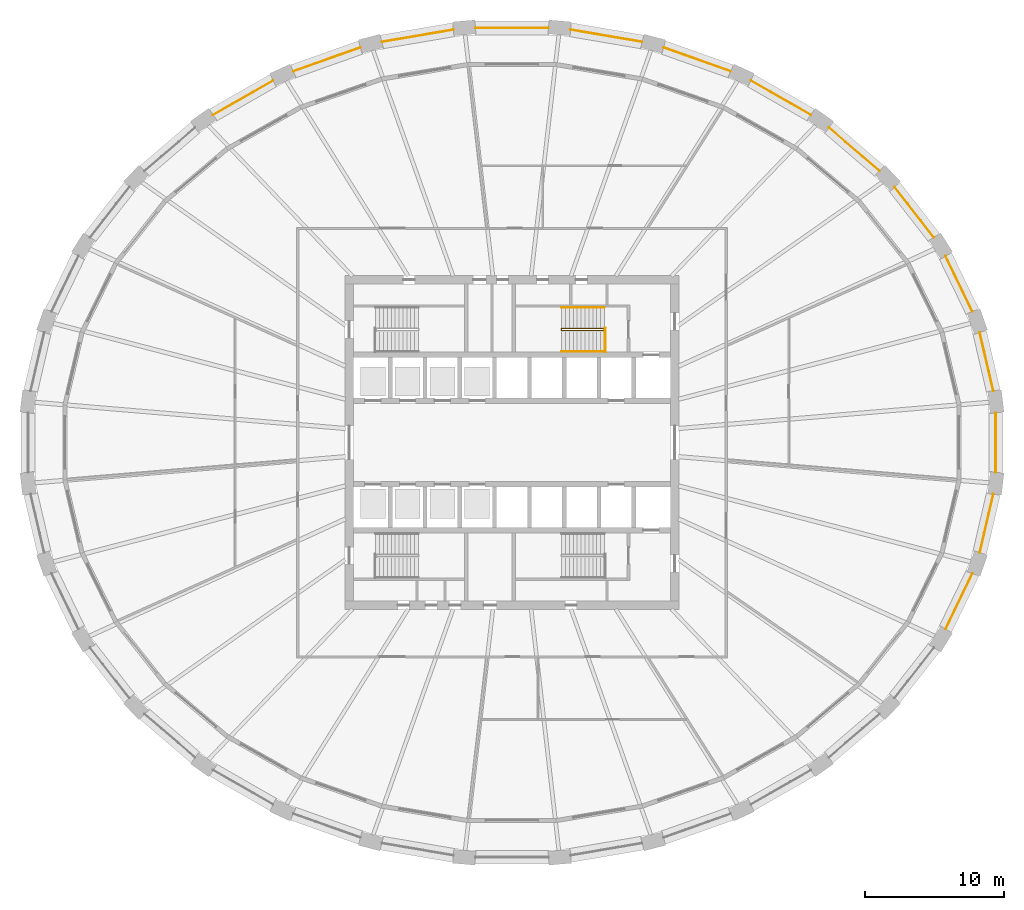
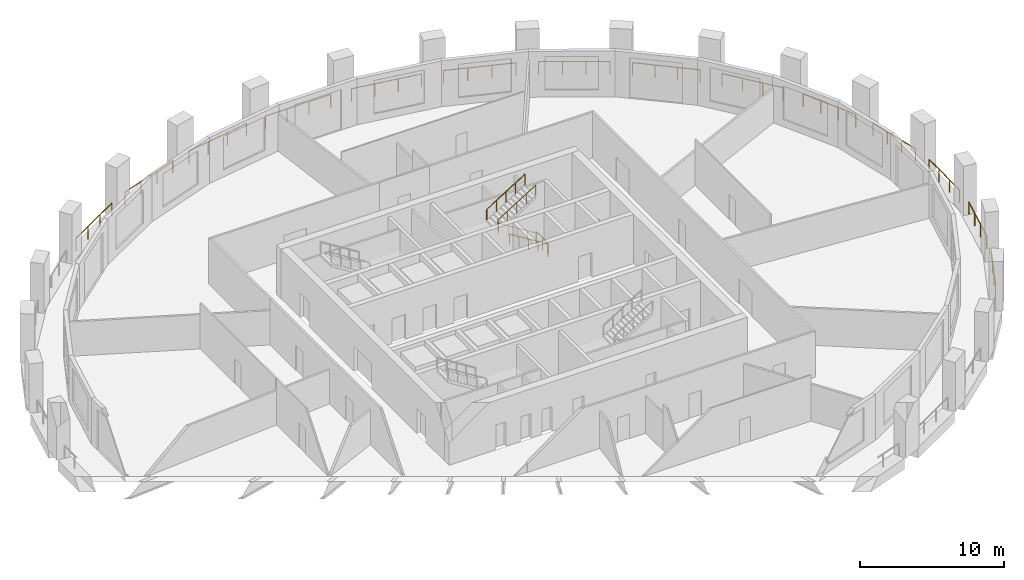
# One storey, part 9 of 10: 18 railings.
"""IFC4 building model written with IfcOpenShell, lengths in metres."""

from ifc_helpers import new_model, si_unit, direction, frame, origin, origin_2d, place, context, subcontext, project, spatial, circle, extrude, material, type_object, element, save


model = new_model("IFC4")

# Units and contexts
model_context = context("Model", 3, precision=1e-05, world=origin(), true_north=direction((0.0, 1.0)))
body_context = subcontext(model_context, "Body", "Model", "MODEL_VIEW")
ifc_project = project(units=[si_unit("LENGTHUNIT", "METRE"), si_unit("AREAUNIT", "SQUARE_METRE"), si_unit("VOLUMEUNIT", "CUBIC_METRE"), si_unit("PLANEANGLEUNIT", "RADIAN"), si_unit("MASSUNIT", "GRAM", prefix="KILO")], contexts=[model_context])

# Site, building, storey
site_placement = place(None, origin())
site = spatial("IfcSite", under=ifc_project, at=site_placement, CompositionType="ELEMENT")
building_placement = place(site_placement, origin())
building = spatial("IfcBuilding", under=site, at=building_placement, Name="Halqa Exchange Tower", CompositionType="ELEMENT")
storey_placement = place(building_placement, frame((0.0, 0.0, 117.10009765625)))
storey = spatial("IfcBuildingStorey", under=building, at=storey_placement, Name="L26", CompositionType="ELEMENT", Elevation=117.10009765625)

# Railings
ifc_material = material(Name="Stainless steel", Category="steel")
railing_type_1 = type_object("IfcRailingType", Name="Guard 1100 stainless steel", PredefinedType="GUARDRAIL", material=ifc_material)
railing_1_placement = place(storey_placement, frame((34.598388671875, 3.71533203125, 0.0)))
element("IfcRailing", 1, at=railing_1_placement, inside=storey, type_object=railing_type_1, Name="Loggia guard 1", PredefinedType="GUARDRAIL", context=body_context, shape_type="SweptSolid", body=[
    extrude(circle(Radius=0.02392578125, at=origin_2d()), frame((0.0, 0.0, 1.076171875), z_axis=(-0.226116277414, 0.974100317774, 0.0), x_axis=(-0.974100317774, -0.226116277414, 0.0)), (0.0, 0.0, 1.0), 4.312255859375),
    extrude(circle(Radius=0.02099609375, at=origin_2d()), origin(), (0.0, 0.0, 1.0), 1.052001953125),
    extrude(circle(Radius=0.02099609375, at=origin_2d()), frame((-0.324951171875, 1.400146484375, 0.0)), (0.0, 0.0, 1.0), 1.052001953125),
    extrude(circle(Radius=0.02099609375, at=origin_2d()), frame((-0.650146484375, 2.800537109375, 0.0)), (0.0, 0.0, 1.0), 1.052001953125),
    extrude(circle(Radius=0.02099609375, at=origin_2d()), frame((-0.97509765625, 4.20068359375, 0.0)), (0.0, 0.0, 1.0), 1.052001953125),
])
railing_2_placement = place(storey_placement, frame((33.094482421875, 9.415771484375, 0.0)))
element("IfcRailing", 2, at=railing_2_placement, inside=storey, type_object=railing_type_1, Name="Loggia guard 2", PredefinedType="GUARDRAIL", context=body_context, shape_type="SweptSolid", body=[
    extrude(circle(Radius=0.02392578125, at=origin_2d()), frame((0.0, 0.0, 1.076171875), z_axis=(-0.43510232477, 0.900381012117, 0.0), x_axis=(-0.900381012117, -0.43510232477, 0.0)), (0.0, 0.0, 1.0), 4.425537109375),
    extrude(circle(Radius=0.02099609375, at=origin_2d()), origin(), (0.0, 0.0, 1.0), 1.052001953125),
    extrude(circle(Radius=0.02099609375, at=origin_2d()), frame((-0.641845703125, 1.328125, 0.0)), (0.0, 0.0, 1.0), 1.052001953125),
    extrude(circle(Radius=0.02099609375, at=origin_2d()), frame((-1.28369140625, 2.656494140625, 0.0)), (0.0, 0.0, 1.0), 1.052001953125),
    extrude(circle(Radius=0.02099609375, at=origin_2d()), frame((-1.925537109375, 3.984619140625, 0.0)), (0.0, 0.0, 1.0), 1.052001953125),
])
railing_3_placement = place(storey_placement, frame((30.3291015625, 14.75146484375, 0.0)))
element("IfcRailing", 3, at=railing_3_placement, inside=storey, type_object=railing_type_1, Name="Loggia guard 3", PredefinedType="GUARDRAIL", context=body_context, shape_type="SweptSolid", body=[
    extrude(circle(Radius=0.02392578125, at=origin_2d()), frame((0.0, 0.0, 1.076171875), z_axis=(-0.614794379483, 0.788687435526, 0.0), x_axis=(-0.788687435526, -0.614794379483, 0.0)), (0.0, 0.0, 1.0), 4.591064453125),
    extrude(circle(Radius=0.02099609375, at=origin_2d()), origin(), (0.0, 0.0, 1.0), 1.052001953125),
    extrude(circle(Radius=0.02099609375, at=origin_2d()), frame((-0.94091796875, 1.20703125, 0.0)), (0.0, 0.0, 1.0), 1.052001953125),
    extrude(circle(Radius=0.02099609375, at=origin_2d()), frame((-1.881591796875, 2.413818359375, 0.0)), (0.0, 0.0, 1.0), 1.052001953125),
    extrude(circle(Radius=0.02099609375, at=origin_2d()), frame((-2.822509765625, 3.620849609375, 0.0)), (0.0, 0.0, 1.0), 1.052001953125),
])
railing_4_placement = place(storey_placement, frame((26.4072265625, 19.523681640625, 0.0)))
element("IfcRailing", 4, at=railing_4_placement, inside=storey, type_object=railing_type_1, Name="Loggia guard 4", PredefinedType="GUARDRAIL", context=body_context, shape_type="SweptSolid", body=[
    extrude(circle(Radius=0.02392578125, at=origin_2d()), frame((0.0, 0.0, 1.076171875), z_axis=(-0.759213341011, 0.650841841641, 0.0), x_axis=(-0.650841841641, -0.759213341011, 0.0)), (0.0, 0.0, 1.0), 4.780517578125),
    extrude(circle(Radius=0.02099609375, at=origin_2d()), origin(), (0.0, 0.0, 1.0), 1.052001953125),
    extrude(circle(Radius=0.02099609375, at=origin_2d()), frame((-1.209716796875, 1.037109375, 0.0)), (0.0, 0.0, 1.0), 1.052001953125),
    extrude(circle(Radius=0.02099609375, at=origin_2d()), frame((-2.419677734375, 2.07421875, 0.0)), (0.0, 0.0, 1.0), 1.052001953125),
    extrude(circle(Radius=0.02099609375, at=origin_2d()), frame((-3.62939453125, 3.111328125, 0.0)), (0.0, 0.0, 1.0), 1.052001953125),
])
railing_5_placement = place(storey_placement, frame((21.476318359375, 23.552978515625, 0.0)))
element("IfcRailing", 5, at=railing_5_placement, inside=storey, type_object=railing_type_1, Name="Loggia guard 5", PredefinedType="GUARDRAIL", context=body_context, shape_type="SweptSolid", body=[
    extrude(circle(Radius=0.02392578125, at=origin_2d()), frame((0.0, 0.0, 1.076171875), z_axis=(-0.867764594192, 0.496975461232, 0.0), x_axis=(-0.496975461232, -0.867764594192, 0.0)), (0.0, 0.0, 1.0), 4.964599609375),
    extrude(circle(Radius=0.02099609375, at=origin_2d()), origin(), (0.0, 0.0, 1.0), 1.052001953125),
    extrude(circle(Radius=0.02099609375, at=origin_2d()), frame((-1.43603515625, 0.822509765625, 0.0)), (0.0, 0.0, 1.0), 1.052001953125),
    extrude(circle(Radius=0.02099609375, at=origin_2d()), frame((-2.8720703125, 1.644775390625, 0.0)), (0.0, 0.0, 1.0), 1.052001953125),
    extrude(circle(Radius=0.02099609375, at=origin_2d()), frame((-4.30810546875, 2.46728515625, 0.0)), (0.0, 0.0, 1.0), 1.052001953125),
])
railing_6_placement = place(storey_placement, frame((15.72021484375, 26.685546875, 0.0)))
element("IfcRailing", 6, at=railing_6_placement, inside=storey, type_object=railing_type_1, Name="Loggia guard 6", PredefinedType="GUARDRAIL", context=body_context, shape_type="SweptSolid", body=[
    extrude(circle(Radius=0.02392578125, at=origin_2d()), frame((0.0, 0.0, 1.076171875), z_axis=(-0.942363208547, 0.334591666329, 0.0), x_axis=(-0.334591666329, -0.942363208547, 0.0)), (0.0, 0.0, 1.0), 5.116455078125),
    extrude(circle(Radius=0.02099609375, at=origin_2d()), origin(), (0.0, 0.0, 1.0), 1.052001953125),
    extrude(circle(Radius=0.02099609375, at=origin_2d()), frame((-1.607177734375, 0.570556640625, 0.0)), (0.0, 0.0, 1.0), 1.052001953125),
    extrude(circle(Radius=0.02099609375, at=origin_2d()), frame((-3.21435546875, 1.141357421875, 0.0)), (0.0, 0.0, 1.0), 1.052001953125),
    extrude(circle(Radius=0.02099609375, at=origin_2d()), frame((-4.821533203125, 1.7119140625, 0.0)), (0.0, 0.0, 1.0), 1.052001953125),
])
railing_7_placement = place(storey_placement, frame((9.356201171875, 28.799560546875, 0.0)))
element("IfcRailing", 7, at=railing_7_placement, inside=storey, type_object=railing_type_1, Name="Loggia guard 7", PredefinedType="GUARDRAIL", context=body_context, shape_type="SweptSolid", body=[
    extrude(circle(Radius=0.02392578125, at=origin_2d()), frame((0.0, 0.0, 1.076171875), z_axis=(-0.985774843574, 0.168071287782, 0.0), x_axis=(-0.168071287782, -0.985774843574, 0.0)), (0.0, 0.0, 1.0), 5.21630859375),
    extrude(circle(Radius=0.02099609375, at=origin_2d()), origin(), (0.0, 0.0, 1.0), 1.052001953125),
    extrude(circle(Radius=0.02099609375, at=origin_2d()), frame((-1.714111328125, 0.292236328125, 0.0)), (0.0, 0.0, 1.0), 1.052001953125),
    extrude(circle(Radius=0.02099609375, at=origin_2d()), frame((-3.427978515625, 0.58447265625, 0.0)), (0.0, 0.0, 1.0), 1.052001953125),
    extrude(circle(Radius=0.02099609375, at=origin_2d()), frame((-5.14208984375, 0.876708984375, 0.0)), (0.0, 0.0, 1.0), 1.052001953125),
])
railing_8_placement = place(storey_placement, frame((2.62548828125, 29.810791015625, 0.0)))
element("IfcRailing", 8, at=railing_8_placement, inside=storey, type_object=railing_type_1, Name="Loggia guard 8", PredefinedType="GUARDRAIL", context=body_context, shape_type="SweptSolid", body=[
    extrude(circle(Radius=0.02392578125, at=origin_2d()), frame((0.0, 0.0, 1.076171875), z_axis=(-1.0, 0.0, 0.0), x_axis=(0.0, -1.0, 0.0)), (0.0, 0.0, 1.0), 5.2509765625),
    extrude(circle(Radius=0.02099609375, at=origin_2d()), origin(), (0.0, 0.0, 1.0), 1.052001953125),
    extrude(circle(Radius=0.02099609375, at=origin_2d()), frame((-1.750244140625, 0.0, 0.0)), (0.0, 0.0, 1.0), 1.052001953125),
    extrude(circle(Radius=0.02099609375, at=origin_2d()), frame((-3.500732421875, 0.0, 0.0)), (0.0, 0.0, 1.0), 1.052001953125),
    extrude(circle(Radius=0.02099609375, at=origin_2d()), frame((-5.2509765625, 0.0, 0.0)), (0.0, 0.0, 1.0), 1.052001953125),
])
railing_9_placement = place(storey_placement, frame((-4.214111328125, 29.67626953125, 0.0)))
element("IfcRailing", 9, at=railing_9_placement, inside=storey, type_object=railing_type_1, Name="Loggia guard 9", PredefinedType="GUARDRAIL", context=body_context, shape_type="SweptSolid", body=[
    extrude(circle(Radius=0.02392578125, at=origin_2d()), frame((0.0, 0.0, 1.076171875), z_axis=(-0.985774843574, -0.168071287782, 0.0), x_axis=(0.168071287782, -0.985774843574, 0.0)), (0.0, 0.0, 1.0), 5.21630859375),
    extrude(circle(Radius=0.02099609375, at=origin_2d()), origin(), (0.0, 0.0, 1.0), 1.052001953125),
    extrude(circle(Radius=0.02099609375, at=origin_2d()), frame((-1.714111328125, -0.292236328125, 0.0)), (0.0, 0.0, 1.0), 1.052001953125),
    extrude(circle(Radius=0.02099609375, at=origin_2d()), frame((-3.427978515625, -0.58447265625, 0.0)), (0.0, 0.0, 1.0), 1.052001953125),
    extrude(circle(Radius=0.02099609375, at=origin_2d()), frame((-5.14208984375, -0.876708984375, 0.0)), (0.0, 0.0, 1.0), 1.052001953125),
])
railing_10_placement = place(storey_placement, frame((-10.898681640625, 28.3974609375, 0.0)))
element("IfcRailing", 10, at=railing_10_placement, inside=storey, type_object=railing_type_1, Name="Loggia guard 10", PredefinedType="GUARDRAIL", context=body_context, shape_type="SweptSolid", body=[
    extrude(circle(Radius=0.02392578125, at=origin_2d()), frame((0.0, 0.0, 1.076171875), z_axis=(-0.942363208547, -0.334591666329, 0.0), x_axis=(0.334591666329, -0.942363208547, 0.0)), (0.0, 0.0, 1.0), 5.116455078125),
    extrude(circle(Radius=0.02099609375, at=origin_2d()), origin(), (0.0, 0.0, 1.0), 1.052001953125),
    extrude(circle(Radius=0.02099609375, at=origin_2d()), frame((-1.607177734375, -0.570556640625, 0.0)), (0.0, 0.0, 1.0), 1.052001953125),
    extrude(circle(Radius=0.02099609375, at=origin_2d()), frame((-3.21435546875, -1.141357421875, 0.0)), (0.0, 0.0, 1.0), 1.052001953125),
    extrude(circle(Radius=0.02099609375, at=origin_2d()), frame((-4.821533203125, -1.7119140625, 0.0)), (0.0, 0.0, 1.0), 1.052001953125),
])
railing_11_placement = place(storey_placement, frame((-17.168212890625, 26.020263671875, 0.0)))
element("IfcRailing", 11, at=railing_11_placement, inside=storey, type_object=railing_type_1, Name="Loggia guard 11", PredefinedType="GUARDRAIL", context=body_context, shape_type="SweptSolid", body=[
    extrude(circle(Radius=0.02392578125, at=origin_2d()), frame((0.0, 0.0, 1.076171875), z_axis=(-0.867764594192, -0.496975461232, 0.0), x_axis=(0.496975461232, -0.867764594192, 0.0)), (0.0, 0.0, 1.0), 4.964599609375),
    extrude(circle(Radius=0.02099609375, at=origin_2d()), origin(), (0.0, 0.0, 1.0), 1.052001953125),
    extrude(circle(Radius=0.02099609375, at=origin_2d()), frame((-1.43603515625, -0.822509765625, 0.0)), (0.0, 0.0, 1.0), 1.052001953125),
    extrude(circle(Radius=0.02099609375, at=origin_2d()), frame((-2.8720703125, -1.644775390625, 0.0)), (0.0, 0.0, 1.0), 1.052001953125),
    extrude(circle(Radius=0.02099609375, at=origin_2d()), frame((-4.30810546875, -2.46728515625, 0.0)), (0.0, 0.0, 1.0), 1.052001953125),
])
railing_12_placement = place(storey_placement, frame((31.1689453125, -13.400390625, 0.0)))
element("IfcRailing", 12, at=railing_12_placement, inside=storey, type_object=railing_type_1, Name="Loggia guard 30", PredefinedType="GUARDRAIL", context=body_context, shape_type="SweptSolid", body=[
    extrude(circle(Radius=0.02392578125, at=origin_2d()), frame((0.0, 0.0, 1.076171875), z_axis=(0.43510232477, 0.900381012117, 0.0), x_axis=(-0.900381012117, 0.43510232477, 0.0)), (0.0, 0.0, 1.0), 4.425537109375),
    extrude(circle(Radius=0.02099609375, at=origin_2d()), origin(), (0.0, 0.0, 1.0), 1.052001953125),
    extrude(circle(Radius=0.02099609375, at=origin_2d()), frame((0.641845703125, 1.328125, 0.0)), (0.0, 0.0, 1.0), 1.052001953125),
    extrude(circle(Radius=0.02099609375, at=origin_2d()), frame((1.28369140625, 2.656494140625, 0.0)), (0.0, 0.0, 1.0), 1.052001953125),
    extrude(circle(Radius=0.02099609375, at=origin_2d()), frame((1.925537109375, 3.984619140625, 0.0)), (0.0, 0.0, 1.0), 1.052001953125),
])
railing_13_placement = place(storey_placement, frame((33.623291015625, -7.916015625, 0.0)))
element("IfcRailing", 13, at=railing_13_placement, inside=storey, type_object=railing_type_1, Name="Loggia guard 31", PredefinedType="GUARDRAIL", context=body_context, shape_type="SweptSolid", body=[
    extrude(circle(Radius=0.02392578125, at=origin_2d()), frame((0.0, 0.0, 1.076171875), z_axis=(0.226116277414, 0.974100317774, 0.0), x_axis=(-0.974100317774, 0.226116277414, 0.0)), (0.0, 0.0, 1.0), 4.312255859375),
    extrude(circle(Radius=0.02099609375, at=origin_2d()), origin(), (0.0, 0.0, 1.0), 1.052001953125),
    extrude(circle(Radius=0.02099609375, at=origin_2d()), frame((0.324951171875, 1.400146484375, 0.0)), (0.0, 0.0, 1.0), 1.052001953125),
    extrude(circle(Radius=0.02099609375, at=origin_2d()), frame((0.650146484375, 2.800537109375, 0.0)), (0.0, 0.0, 1.0), 1.052001953125),
    extrude(circle(Radius=0.02099609375, at=origin_2d()), frame((0.97509765625, 4.20068359375, 0.0)), (0.0, 0.0, 1.0), 1.052001953125),
])
railing_14_placement = place(storey_placement, frame((34.779052734375, -2.135986328125, 0.0)))
element("IfcRailing", 14, at=railing_14_placement, inside=storey, type_object=railing_type_1, Name="Loggia guard 32", PredefinedType="GUARDRAIL", context=body_context, shape_type="SweptSolid", body=[
    extrude(circle(Radius=0.02392578125, at=origin_2d()), frame((0.0, 0.0, 1.076171875), z_axis=(0.0, 1.0, 0.0), x_axis=(-1.0, 0.0, 0.0)), (0.0, 0.0, 1.0), 4.27197265625),
    extrude(circle(Radius=0.02099609375, at=origin_2d()), origin(), (0.0, 0.0, 1.0), 1.052001953125),
    extrude(circle(Radius=0.02099609375, at=origin_2d()), frame((0.0, 1.424072265625, 0.0)), (0.0, 0.0, 1.0), 1.052001953125),
    extrude(circle(Radius=0.02099609375, at=origin_2d()), frame((0.0, 2.847900390625, 0.0)), (0.0, 0.0, 1.0), 1.052001953125),
    extrude(circle(Radius=0.02099609375, at=origin_2d()), frame((0.0, 4.27197265625, 0.0)), (0.0, 0.0, 1.0), 1.052001953125),
])
railing_type_2 = type_object("IfcRailingType", Name="Stair handrail 900", PredefinedType="HANDRAIL", material=ifc_material)
railing_15_placement = place(storey_placement, frame((6.64990234375, 8.06005859375, 0.1748046875)))
element("IfcRailing", 15, at=railing_15_placement, inside=storey, type_object=railing_type_2, Name="Handrail ST2.1", PredefinedType="HANDRAIL", context=body_context, shape_type="SweptSolid", body=[
    extrude(circle(Radius=0.02392578125, at=origin_2d()), frame((0.0, 0.0, 0.8759765625), z_axis=(-0.847979421464, 0.0, 0.530029150871), x_axis=(0.0, -1.0, 0.0)), (0.0, 0.0, 1.0), 3.632080078125),
    extrude(circle(Radius=0.02392578125, at=origin_2d()), frame((-3.079833984375, 0.0, 2.80078125), z_axis=(0.0, 0.595870227118, 0.803080738428), x_axis=(-1.0, 0.0, 0.0)), (0.0, 0.0, 1.0), 0.218017578125),
    extrude(circle(Radius=0.02392578125, at=origin_2d()), frame((-3.079833984375, 0.1298828125, 2.97607421875), z_axis=(0.847979421464, 0.0, 0.530029150871), x_axis=(0.0, 1.0, 0.0)), (0.0, 0.0, 1.0), 3.632080078125),
    extrude(circle(Radius=0.02099609375, at=origin_2d()), origin(), (0.0, 0.0, 1.0), 0.851806640625),
    extrude(circle(Radius=0.02099609375, at=origin_2d()), frame((-0.77001953125, 0.0, 0.481201171875)), (0.0, 0.0, 1.0), 0.851806640625),
    extrude(circle(Radius=0.02099609375, at=origin_2d()), frame((-1.5400390625, 0.0, 0.96240234375)), (0.0, 0.0, 1.0), 0.851806640625),
    extrude(circle(Radius=0.02099609375, at=origin_2d()), frame((-2.309814453125, 0.0, 1.44384765625)), (0.0, 0.0, 1.0), 0.851806640625),
    extrude(circle(Radius=0.02099609375, at=origin_2d()), frame((-3.079833984375, 0.0, 1.925048828125)), (0.0, 0.0, 1.0), 0.851806640625),
    extrude(circle(Radius=0.02099609375, at=origin_2d()), frame((-3.079833984375, 0.1298828125, 2.10009765625)), (0.0, 0.0, 1.0), 0.851806640625),
    extrude(circle(Radius=0.02099609375, at=origin_2d()), frame((-2.309814453125, 0.1298828125, 2.581298828125)), (0.0, 0.0, 1.0), 0.851806640625),
    extrude(circle(Radius=0.02099609375, at=origin_2d()), frame((-1.5400390625, 0.1298828125, 3.0625)), (0.0, 0.0, 1.0), 0.851806640625),
    extrude(circle(Radius=0.02099609375, at=origin_2d()), frame((-0.77001953125, 0.1298828125, 3.5439453125)), (0.0, 0.0, 1.0), 0.851806640625),
    extrude(circle(Radius=0.02099609375, at=origin_2d()), frame((0.0, 0.1298828125, 4.025146484375)), (0.0, 0.0, 1.0), 0.851806640625),
])
railing_16_placement = place(storey_placement, frame((6.64990234375, 6.550048828125, 0.1748046875)))
element("IfcRailing", 16, at=railing_16_placement, inside=storey, type_object=railing_type_2, Name="Handrail ST2.2", PredefinedType="HANDRAIL", context=body_context, shape_type="SweptSolid", body=[
    extrude(circle(Radius=0.02392578125, at=origin_2d()), frame((0.0, 0.0, 0.8759765625), z_axis=(-0.847979421464, 0.0, 0.530029150871), x_axis=(0.0, -1.0, 0.0)), (0.0, 0.0, 1.0), 3.632080078125),
    extrude(circle(Radius=0.02099609375, at=origin_2d()), origin(), (0.0, 0.0, 1.0), 0.851806640625),
    extrude(circle(Radius=0.02099609375, at=origin_2d()), frame((-0.77001953125, 0.0, 0.481201171875)), (0.0, 0.0, 1.0), 0.851806640625),
    extrude(circle(Radius=0.02099609375, at=origin_2d()), frame((-1.5400390625, 0.0, 0.96240234375)), (0.0, 0.0, 1.0), 0.851806640625),
    extrude(circle(Radius=0.02099609375, at=origin_2d()), frame((-2.309814453125, 0.0, 1.44384765625)), (0.0, 0.0, 1.0), 0.851806640625),
    extrude(circle(Radius=0.02099609375, at=origin_2d()), frame((-3.079833984375, 0.0, 1.925048828125)), (0.0, 0.0, 1.0), 0.851806640625),
])
railing_17_placement = place(storey_placement, frame((3.570068359375, 9.699951171875, 2.27490234375)))
element("IfcRailing", 17, at=railing_17_placement, inside=storey, type_object=railing_type_2, Name="Handrail ST2.3", PredefinedType="HANDRAIL", context=body_context, shape_type="SweptSolid", body=[
    extrude(circle(Radius=0.02392578125, at=origin_2d()), frame((0.0, 0.0, 0.8759765625), z_axis=(0.847979421464, 0.0, 0.530029150871), x_axis=(0.0, 1.0, 0.0)), (0.0, 0.0, 1.0), 3.632080078125),
    extrude(circle(Radius=0.02099609375, at=origin_2d()), origin(), (0.0, 0.0, 1.0), 0.851806640625),
    extrude(circle(Radius=0.02099609375, at=origin_2d()), frame((0.77001953125, 0.0, 0.481201171875)), (0.0, 0.0, 1.0), 0.851806640625),
    extrude(circle(Radius=0.02099609375, at=origin_2d()), frame((1.5400390625, 0.0, 0.96240234375)), (0.0, 0.0, 1.0), 0.851806640625),
    extrude(circle(Radius=0.02099609375, at=origin_2d()), frame((2.309814453125, 0.0, 1.44384765625)), (0.0, 0.0, 1.0), 0.851806640625),
    extrude(circle(Radius=0.02099609375, at=origin_2d()), frame((3.079833984375, 0.0, 1.925048828125)), (0.0, 0.0, 1.0), 0.851806640625),
])
railing_type_3 = type_object("IfcRailingType", Name="Stair well guard 1100", PredefinedType="GUARDRAIL", material=ifc_material)
railing_18_placement = place(storey_placement, frame((6.699951171875, 6.5, 0.0)))
element("IfcRailing", 18, at=railing_18_placement, inside=storey, type_object=railing_type_3, Name="Guard ST2 well", PredefinedType="GUARDRAIL", context=body_context, shape_type="SweptSolid", body=[
    extrude(circle(Radius=0.02392578125, at=origin_2d()), frame((0.0, 0.0, 1.076171875), z_axis=(0.0, 1.0, 0.0), x_axis=(-1.0, 0.0, 0.0)), (0.0, 0.0, 1.0), 1.75),
    extrude(circle(Radius=0.02099609375, at=origin_2d()), origin(), (0.0, 0.0, 1.0), 1.052001953125),
    extrude(circle(Radius=0.02099609375, at=origin_2d()), frame((0.0, 0.875, 0.0)), (0.0, 0.0, 1.0), 1.052001953125),
    extrude(circle(Radius=0.02099609375, at=origin_2d()), frame((0.0, 1.75, 0.0)), (0.0, 0.0, 1.0), 1.052001953125),
])

save(model, "model.ifc")
